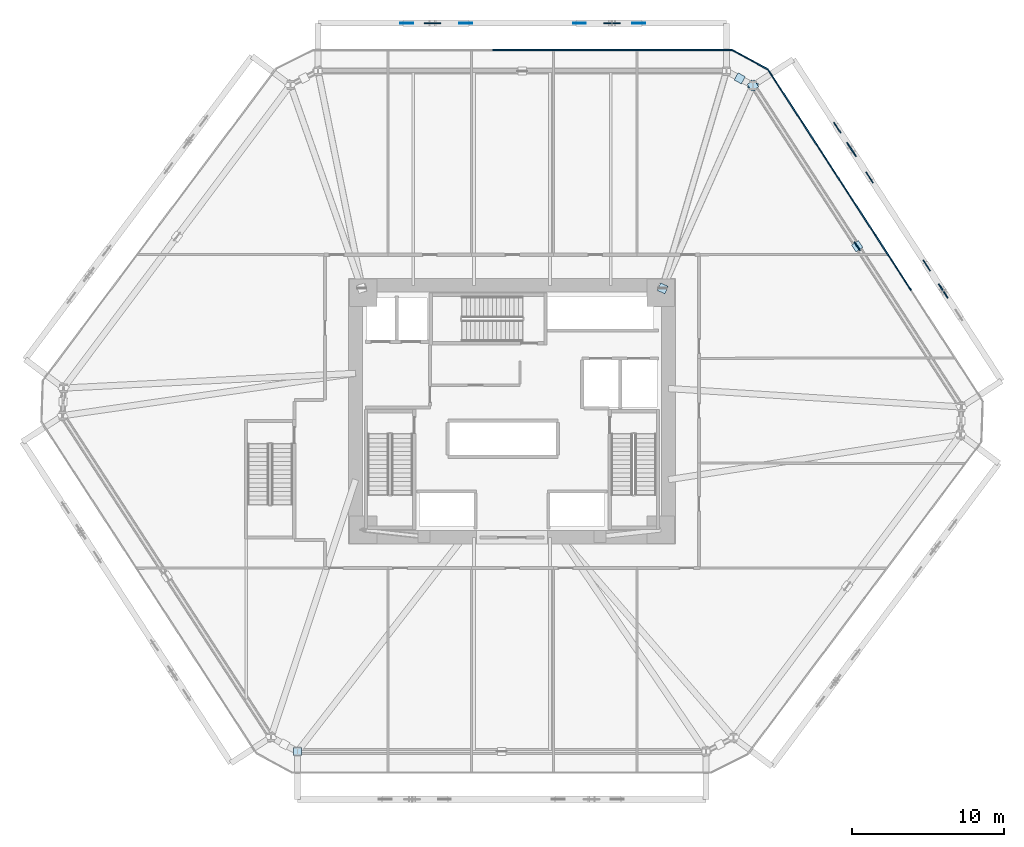
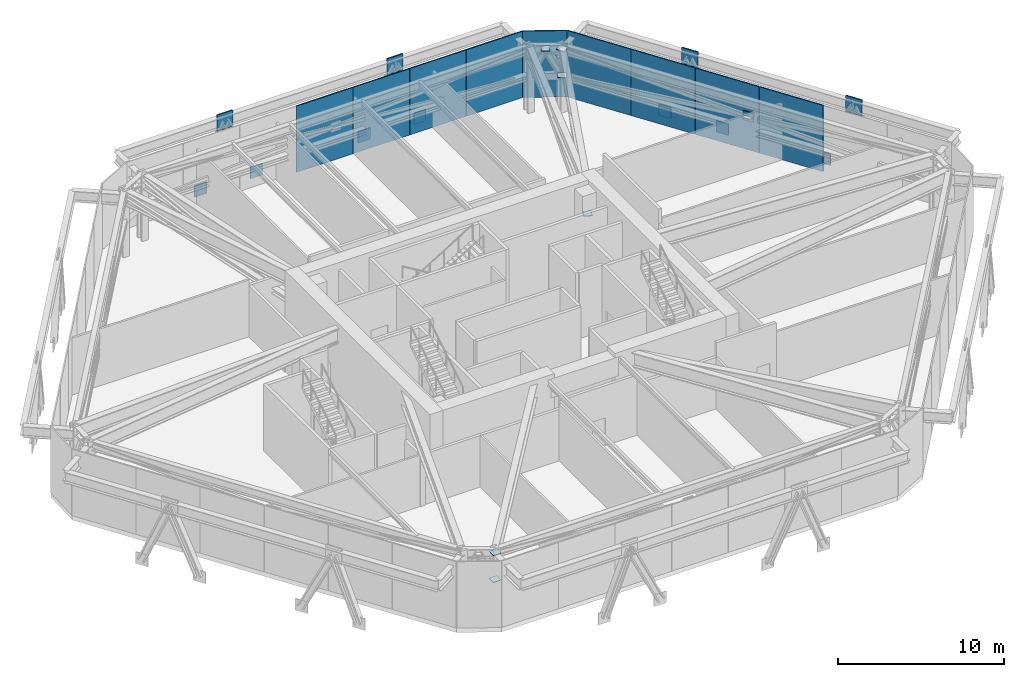
# One storey, part 8 of 16: 28 plates.
"""IFC4 building model written with IfcOpenShell, lengths in metres."""

from ifc_helpers import new_model, si_unit, direction, frame, origin, origin_2d, place, context, subcontext, project, spatial, rectangle, extrude, source, transform, mapped, material, layer, layer_set, type_object, type_shapes, element, save


model = new_model("IFC4")

# Units and contexts
model_context = context("Model", 3, precision=1e-05, world=origin(), true_north=direction((0.0, 1.0)))
body_context = subcontext(model_context, "Body", "Model", "MODEL_VIEW")
ifc_project = project(units=[si_unit("LENGTHUNIT", "METRE"), si_unit("AREAUNIT", "SQUARE_METRE"), si_unit("VOLUMEUNIT", "CUBIC_METRE"), si_unit("PLANEANGLEUNIT", "RADIAN"), si_unit("MASSUNIT", "GRAM", prefix="KILO")], contexts=[model_context])

# Site, building, storey
site_placement = place(None, origin())
site = spatial("IfcSite", under=ifc_project, at=site_placement, CompositionType="ELEMENT")
building_placement = place(site_placement, origin())
building = spatial("IfcBuilding", under=site, at=building_placement, Name="Durnholm Broadcast Tower", CompositionType="ELEMENT")
storey_placement = place(building_placement, frame((0.0, 0.0, 10.39990234375)))
storey = spatial("IfcBuildingStorey", under=building, at=storey_placement, Name="L02", CompositionType="ELEMENT", Elevation=10.39990234375)

# Plates
ifc_material_1 = material(Name="Steel ASTM A572 Grade 50", Category="steel")
ifc_layer_1 = layer(ifc_material_1, 0.0400390625)
ifc_layer_set_1 = layer_set([ifc_layer_1], Name="Steel ASTM A572 Grade 50")
plate_type_1 = type_object("IfcPlateType", Name="PLT-KN-CAP", PredefinedType="USERDEFINED", material=ifc_layer_set_1)
shared_shape_1 = source(origin(), body_context, "Body", "SweptSolid", [
    extrude(rectangle(XDim=0.5400390625, YDim=0.5400390625, at=origin_2d()), origin(), (0.0, 0.0, 1.0), 0.0400390625),
])
type_shapes(plate_type_1, [shared_shape_1])
for number, where, z_axis, x_axis, name in (
    (1, (15.866455078125, 21.45068359375, 2.530029296875), (0.0, 0.0, 1.0), (0.878650499296, -0.477465496226, 0.0), "L02 hollow section end cap plate BT-CH-L02-06 2"),
    (2, (14.992919921875, 21.92529296875, 4.510009765625), (0.0, 0.0, 1.0), (0.878650499296, -0.477465496226, 0.0), "L02 hollow section end cap plate BT-BR-L02-06-1 2"),
    (3, (22.728515625, 10.86962890625, 3.52001953125), (0.0, 0.0, 1.0), (-0.544053399827, 0.839050593311, 0.0), "L02 hollow section end cap plate BT-XSPLIT-L02-07-1 2"),
    (4, (15.866455078125, 21.45068359375, 4.510009765625), (0.0, 0.0, 1.0), (-0.544053399827, 0.839050593311, 0.0), "L02 hollow section end cap plate BT-XSPLIT-L02-07-2 2"),
    (5, (-14.119384765625, -22.39990234375, 2.530029296875), (0.0, 0.0, 1.0), (-1.0, 0.0, 0.0), "L02 hollow section end cap plate BT-CH-L02-11 2"),
    (6, (-14.119384765625, -22.39990234375, 4.510009765625), (0.0, 0.0, 1.0), (-1.0, 0.0, 0.0), "L02 hollow section end cap plate BT-XCONT-L02-11 2"),
    (7, (9.929931640625, 8.09228515625, 2.530029296875), (0.0, 0.0, 1.0), (0.406098768964, 0.913829190738, 0.0), "L02 hollow section end cap plate OUT-STR-L02-07 1"),
):
    element("IfcPlate", number, at=place(storey_placement, frame(where, z_axis=z_axis, x_axis=x_axis)), inside=storey, type_object=plate_type_1, Name=name, ObjectType="CAP_PLATE", PredefinedType="USERDEFINED", context=body_context, shape_type="MappedRepresentation", body=[
        mapped(shared_shape_1, transform((0.0, 0.0, 0.0), x_axis=(1.0, 0.0, 0.0), y_axis=(0.0, 1.0, 0.0), z_axis=(0.0, 0.0, 1.0), scale=1.0)),
    ])
ifc_material_2 = material(Name="ASTM A572 Grade 50 Steel", Category="steel")
ifc_layer_2 = layer(ifc_material_2, 0.06005859375)
ifc_layer_set_2 = layer_set([ifc_layer_2], Name="ASTM A572 Grade 50 Steel")
plate_type_2 = type_object("IfcPlateType", Name="PLT-KN-X1", PredefinedType="USERDEFINED", material=ifc_layer_set_2)
shared_shape_2 = source(origin(), body_context, "Body", "SweptSolid", [
    extrude(rectangle(XDim=0.679931640625, YDim=0.06005859375, at=origin_2d()), origin(), (0.0, 0.0, 1.0), 0.679931640625),
])
type_shapes(plate_type_2, [shared_shape_2])
plate_1_placement = place(storey_placement, frame((22.728515625, 10.86962890625, 3.2001953125), z_axis=(0.0, 0.0, 1.0), x_axis=(0.544053399827, -0.839050593311, 0.0)))
element("IfcPlate", 8, at=plate_1_placement, inside=storey, type_object=plate_type_2, Name="L02 belt-truss X-brace crossing gusset plate 07", ObjectType="GUSSET_PLATE", PredefinedType="USERDEFINED", context=body_context, shape_type="MappedRepresentation", body=[
    mapped(shared_shape_2, transform((0.0, 0.0, 0.0), x_axis=(1.0, 0.0, 0.0), y_axis=(0.0, 1.0, 0.0), z_axis=(0.0, 0.0, 1.0), scale=1.0)),
])
ifc_layer_3 = layer(ifc_material_1, 0.080078125)
ifc_layer_set_3 = layer_set([ifc_layer_3], Name="Steel ASTM A572 Grade 50")
plate_type_3 = type_object("IfcPlateType", Name="PLT-KN02-GUS", PredefinedType="USERDEFINED", material=ifc_layer_set_3)
shared_shape_3 = source(origin(), body_context, "Body", "SweptSolid", [
    extrude(rectangle(XDim=0.85009765625, YDim=0.06005859375, at=origin_2d()), origin(), (0.0, 0.0, 1.0), 0.85009765625),
])
for number, where, z_axis, x_axis, name in (
    (9, (27.3046875, 9.6025390625, -0.77490234375), (0.0, 0.0, 1.0), (-0.544053399827, 0.839050593311, 0.0), "L02 pilotis-to-diagrid base gusset plate F3.D1.2"),
    (10, (23.541015625, 15.40576171875, -0.77490234375), (0.0, 0.0, 1.0), (-0.544053399827, 0.839050593311, 0.0), "L02 pilotis-to-diagrid base gusset plate F3.D2.1"),
    (11, (21.42529296875, 18.668212890625, -0.77490234375), (0.0, 0.0, 1.0), (-0.544053399827, 0.839050593311, 0.0), "L02 pilotis-to-diagrid base gusset plate F3.D2.2"),
    (12, (8.3330078125, 25.550048828125, -0.77490234375), (0.0, 0.0, 1.0), (-1.0, 0.0, 0.0), "L02 pilotis-to-diagrid base gusset plate F4.D1.1"),
    (13, (4.444580078125, 25.550048828125, -0.77490234375), (0.0, 0.0, 1.0), (-1.0, 0.0, 0.0), "L02 pilotis-to-diagrid base gusset plate F4.D1.2"),
    (14, (-3.041259765625, 25.550048828125, -0.77490234375), (0.0, 0.0, 1.0), (-1.0, 0.0, 0.0), "L02 pilotis-to-diagrid base gusset plate F4.D2.1"),
    (15, (-6.9296875, 25.550048828125, -0.77490234375), (0.0, 0.0, 1.0), (-1.0, 0.0, 0.0), "L02 pilotis-to-diagrid base gusset plate F4.D2.2"),
):
    element("IfcPlate", number, at=place(storey_placement, frame(where, z_axis=z_axis, x_axis=x_axis)), inside=storey, type_object=plate_type_3, Name=name, ObjectType="GUSSET_PLATE", PredefinedType="USERDEFINED", context=body_context, shape_type="MappedRepresentation", body=[
        mapped(shared_shape_3, transform((0.0, 0.0, 0.0), x_axis=(1.0, 0.0, 0.0), y_axis=(0.0, 1.0, 0.0), z_axis=(0.0, 0.0, 1.0), scale=1.0)),
    ])
shared_shape_4 = source(origin(), body_context, "Body", "SweptSolid", [
    extrude(rectangle(XDim=1.10009765625, YDim=0.080078125, at=origin_2d()), origin(), (0.0, 0.0, 1.0), 1.199951171875),
])
type_shapes(plate_type_3, [shared_shape_3, shared_shape_4])
for number, where, z_axis, x_axis, name in (
    (16, (28.390625, 7.927978515625, 3.52880859375), (0.0, 0.0, 1.0), (-0.544053399827, 0.839050593311, 0.0), "L02 welded diagrid node gusset plate KN02 F3"),
    (17, (22.35205078125, 17.2392578125, 3.52880859375), (0.0, 0.0, 1.0), (-0.544053399827, 0.839050593311, 0.0), "L02 welded diagrid node gusset plate KN02 F3"),
    (18, (6.58984375, 25.550048828125, 3.52880859375), (0.0, 0.0, 1.0), (-1.0, 0.0, 0.0), "L02 welded diagrid node gusset plate KN02 F4"),
    (19, (-5.242431640625, 25.550048828125, 3.52880859375), (0.0, 0.0, 1.0), (-1.0, 0.0, 0.0), "L02 welded diagrid node gusset plate KN02 F4"),
):
    element("IfcPlate", number, at=place(storey_placement, frame(where, z_axis=z_axis, x_axis=x_axis)), inside=storey, type_object=plate_type_3, Name=name, ObjectType="GUSSET_PLATE", PredefinedType="USERDEFINED", context=body_context, shape_type="MappedRepresentation", body=[
        mapped(shared_shape_4, transform((0.0, 0.0, 0.0), x_axis=(1.0, 0.0, 0.0), y_axis=(0.0, 1.0, 0.0), z_axis=(0.0, 0.0, 1.0), scale=1.0)),
    ])
ifc_material_3 = material(Name="Anodised Architectural Aluminium Louvre Screen", Category="aluminium")
ifc_layer_4 = layer(ifc_material_3, 0.0849609375)
ifc_layer_set_4 = layer_set([ifc_layer_4], Name="Anodised Architectural Aluminium Louvre Screen")
plate_type_4 = type_object("IfcPlateType", Name="PLT-CROWN-SCR", PredefinedType="USERDEFINED", material=ifc_layer_set_4)
shared_shape_5 = source(origin(), body_context, "Body", "SweptSolid", [
    extrude(rectangle(XDim=2.679931640625, YDim=0.0849609375, at=origin_2d()), origin(), (0.0, 0.0, 1.0), 4.8798828125),
])
plate_2_placement = place(storey_placement, frame((15.661376953125, 23.155517578125, 0.000244140625), z_axis=(0.0, 0.0, 1.0), x_axis=(0.878650499296, -0.477465496226, 0.0)))
element("IfcPlate", 20, at=plate_2_placement, inside=storey, type_object=plate_type_4, Name="L02 mechanical louvre screen panel SCR-L02-F05.1", ObjectType="SCREEN", PredefinedType="USERDEFINED", context=body_context, shape_type="MappedRepresentation", body=[
    mapped(shared_shape_5, transform((0.0, 0.0, 0.0), x_axis=(1.0, 0.0, 0.0), y_axis=(0.0, 1.0, 0.0), z_axis=(0.0, 0.0, 1.0), scale=1.0)),
])
shared_shape_6 = source(origin(), body_context, "Body", "SweptSolid", [
    extrude(rectangle(XDim=3.919677734375, YDim=0.0849609375, at=origin_2d()), origin(), (0.0, 0.0, 1.0), 4.8798828125),
])
for number, where, z_axis, x_axis, name in (
    (21, (0.68603515625, 23.800048828125, 0.000244140625), (0.0, 0.0, 1.0), (1.0, 0.0, 0.0), "L02 mechanical louvre screen panel SCR-L02-F04.4"),
    (22, (4.625732421875, 23.800048828125, 0.000244140625), (0.0, 0.0, 1.0), (1.0, 0.0, 0.0), "L02 mechanical louvre screen panel SCR-L02-F04.5"),
    (23, (8.5654296875, 23.800048828125, 0.000244140625), (0.0, 0.0, 1.0), (1.0, 0.0, 0.0), "L02 mechanical louvre screen panel SCR-L02-F04.6"),
    (24, (12.505126953125, 23.800048828125, 0.000244140625), (0.0, 0.0, 1.0), (1.0, 0.0, 0.0), "L02 mechanical louvre screen panel SCR-L02-F04.7"),
):
    element("IfcPlate", number, at=place(storey_placement, frame(where, z_axis=z_axis, x_axis=x_axis)), inside=storey, type_object=plate_type_4, Name=name, ObjectType="SCREEN", PredefinedType="USERDEFINED", context=body_context, shape_type="MappedRepresentation", body=[
        mapped(shared_shape_6, transform((0.0, 0.0, 0.0), x_axis=(1.0, 0.0, 0.0), y_axis=(0.0, 1.0, 0.0), z_axis=(0.0, 0.0, 1.0), scale=1.0)),
    ])
shared_shape_7 = source(origin(), body_context, "Body", "SweptSolid", [
    extrude(rectangle(XDim=4.31640625, YDim=0.0849609375, at=origin_2d()), origin(), (0.0, 0.0, 1.0), 4.8798828125),
])
type_shapes(plate_type_4, [shared_shape_5, shared_shape_6, shared_shape_7])
for number, where, z_axis, x_axis, name in (
    (25, (18.027099609375, 20.69189453125, 0.000244140625), (0.0, 0.0, 1.0), (0.544053399827, -0.839050593311, 0.0), "L02 mechanical louvre screen panel SCR-L02-F06.1"),
    (26, (20.38671875, 17.053466796875, 0.000244140625), (0.0, 0.0, 1.0), (0.544053399827, -0.839050593311, 0.0), "L02 mechanical louvre screen panel SCR-L02-F06.2"),
    (27, (22.74609375, 13.415283203125, 0.000244140625), (0.0, 0.0, 1.0), (0.544053399827, -0.839050593311, 0.0), "L02 mechanical louvre screen panel SCR-L02-F06.3"),
    (28, (25.105712890625, 9.777099609375, 0.000244140625), (0.0, 0.0, 1.0), (0.544053399827, -0.839050593311, 0.0), "L02 mechanical louvre screen panel SCR-L02-F06.4"),
):
    element("IfcPlate", number, at=place(storey_placement, frame(where, z_axis=z_axis, x_axis=x_axis)), inside=storey, type_object=plate_type_4, Name=name, ObjectType="SCREEN", PredefinedType="USERDEFINED", context=body_context, shape_type="MappedRepresentation", body=[
        mapped(shared_shape_7, transform((0.0, 0.0, 0.0), x_axis=(1.0, 0.0, 0.0), y_axis=(0.0, 1.0, 0.0), z_axis=(0.0, 0.0, 1.0), scale=1.0)),
    ])

save(model, "model.ifc")
